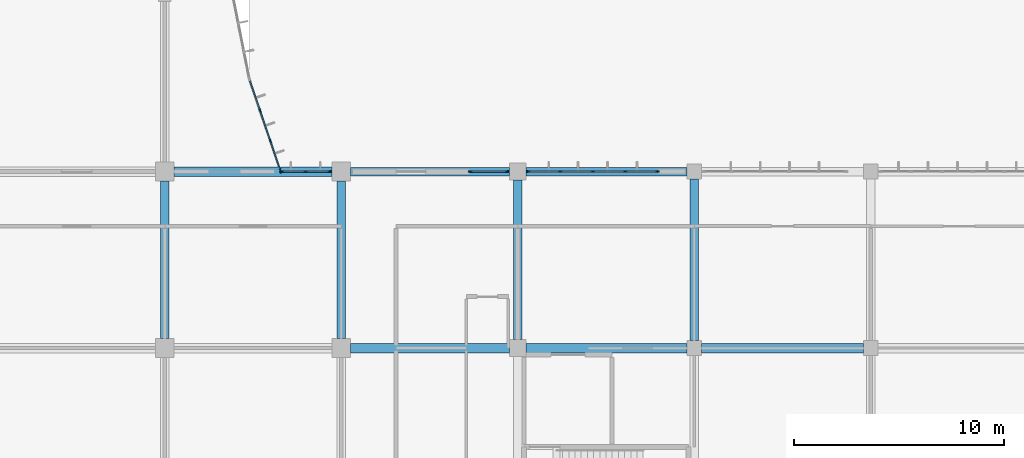
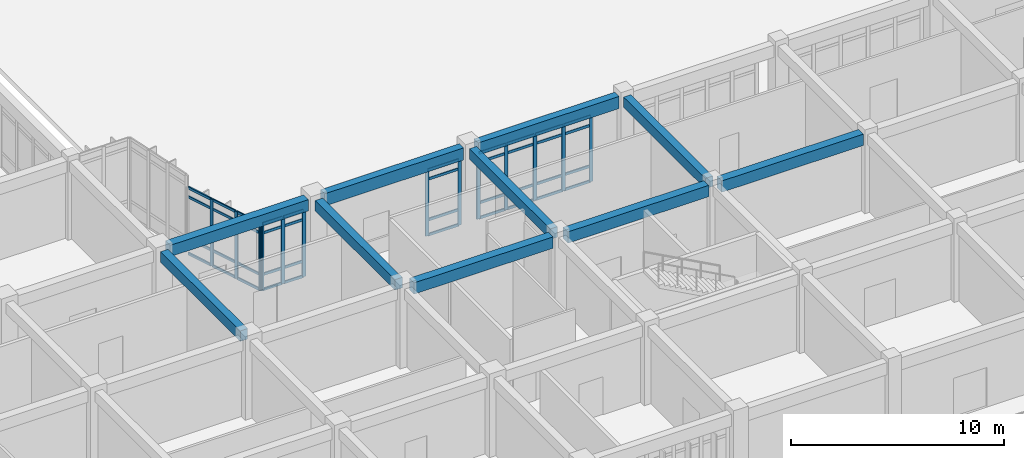
# One storey, part 48 of 138: 53 members, 10 beams, 4 elements without a shape of their own.
"""IFC4 building model written with IfcOpenShell, lengths in metres."""

from ifc_helpers import new_model, si_unit, direction, frame, origin, origin_2d, place, context, subcontext, project, spatial, rectangle, extrude, material, layer, layer_set, material_profile, profile_set, type_object, element, aggregate, save


model = new_model("IFC4")

# Units and contexts
model_context = context("Model", 3, precision=1e-05, world=origin(), true_north=direction((0.0, 1.0)))
body_context = subcontext(model_context, "Body", "Model", "MODEL_VIEW")
ifc_project = project(units=[si_unit("LENGTHUNIT", "METRE"), si_unit("AREAUNIT", "SQUARE_METRE"), si_unit("VOLUMEUNIT", "CUBIC_METRE"), si_unit("PLANEANGLEUNIT", "RADIAN"), si_unit("MASSUNIT", "GRAM", prefix="KILO")], contexts=[model_context])

# Site, building, storey
site_placement = place(None, origin())
site = spatial("IfcSite", under=ifc_project, at=site_placement, CompositionType="ELEMENT")
building_placement = place(site_placement, origin())
building = spatial("IfcBuilding", under=site, at=building_placement, Name="Bramfleet General Hospital", CompositionType="ELEMENT")
storey_placement = place(building_placement, origin())
storey = spatial("IfcBuildingStorey", under=building, at=storey_placement, Name="L00", CompositionType="ELEMENT", Elevation=0.0)

# Beams
ifc_material_1 = material(Name="Concrete C35/45", Category="concrete")
ifc_material_profile_1 = material_profile(ifc_material_1, rectangle(XDim=0.39990234375, YDim=0.60009765625, at=origin_2d()), Name="RC BM 600x400")
ifc_profile_set_1 = profile_set([ifc_material_profile_1], Name="Concrete C35/45")
beam_type_1 = type_object("IfcBeamType", Name="BM-RC600", PredefinedType="BEAM", material=ifc_profile_set_1)
for number, where, z_axis, x_axis, name in (
    (1, (126.0, 17.25, 4.199951171875), (0.0, 1.0, 0.0), (-1.0, 0.0, 0.0), "L00 Grid Beam Y 15-02"),
    (2, (134.39990234375, 17.25, 4.199951171875), (0.0, 1.0, 0.0), (-1.0, 0.0, 0.0), "L00 Grid Beam Y 16-02"),
):
    element("IfcBeam", number, at=place(storey_placement, frame(where, z_axis=z_axis, x_axis=x_axis)), inside=storey, type_object=beam_type_1, Name=name, PredefinedType="BEAM", context=body_context, shape_type="SweptSolid", body=[
        extrude(rectangle(XDim=0.39990234375, YDim=0.60009765625, at=origin_2d()), origin(), (0.0, 0.0, 1.0), 7.5),
    ])
beam_1_placement = place(storey_placement, frame((142.800048828125, 17.199951171875, 4.199951171875), z_axis=(0.0, 1.0, 0.0), x_axis=(-1.0, 0.0, 0.0)))
element("IfcBeam", 3, at=beam_1_placement, inside=storey, type_object=beam_type_1, Name="L00 Grid Beam Y 17-02", PredefinedType="BEAM", context=body_context, shape_type="SweptSolid", body=[
    extrude(rectangle(XDim=0.39990234375, YDim=0.60009765625, at=origin_2d()), origin(), (0.0, 0.0, 1.0), 7.60009765625),
])
beam_2_placement = place(storey_placement, frame((151.199951171875, 17.14990234375, 4.199951171875), z_axis=(0.0, 1.0, 0.0), x_axis=(-1.0, 0.0, 0.0)))
element("IfcBeam", 4, at=beam_2_placement, inside=storey, type_object=beam_type_1, Name="L00 Grid Beam Y 18-02", PredefinedType="BEAM", context=body_context, shape_type="SweptSolid", body=[
    extrude(rectangle(XDim=0.39990234375, YDim=0.60009765625, at=origin_2d()), origin(), (0.0, 0.0, 1.0), 7.7001953125),
])
ifc_material_profile_2 = material_profile(ifc_material_1, rectangle(XDim=0.449951171875, YDim=0.64990234375, at=origin_2d()), Name="RC BM 650x450")
ifc_profile_set_2 = profile_set([ifc_material_profile_2], Name="Concrete C35/45")
beam_type_2 = type_object("IfcBeamType", Name="BM-RC650", PredefinedType="BEAM", material=ifc_profile_set_2)
beam_3_placement = place(storey_placement, frame((126.449951171875, 25.199951171875, 4.175048828125), z_axis=(1.0, 0.0, 0.0), x_axis=(0.0, 1.0, 0.0)))
element("IfcBeam", 5, at=beam_3_placement, inside=storey, type_object=beam_type_2, Name="L00 Grid Beam X 15-03", PredefinedType="BEAM", context=body_context, shape_type="SweptSolid", body=[
    extrude(rectangle(XDim=0.449951171875, YDim=0.64990234375, at=origin_2d()), origin(), (0.0, 0.0, 1.0), 7.5),
])
beam_4_placement = place(storey_placement, frame((134.85009765625, 16.800048828125, 4.175048828125), z_axis=(1.0, 0.0, 0.0), x_axis=(0.0, 1.0, 0.0)))
element("IfcBeam", 6, at=beam_4_placement, inside=storey, type_object=beam_type_2, Name="L00 Grid Beam X 16-02", PredefinedType="BEAM", context=body_context, shape_type="SweptSolid", body=[
    extrude(rectangle(XDim=0.449951171875, YDim=0.64990234375, at=origin_2d()), origin(), (0.0, 0.0, 1.0), 7.5498046875),
])
beam_5_placement = place(storey_placement, frame((143.199951171875, 16.800048828125, 4.175048828125), z_axis=(1.0, 0.0, 0.0), x_axis=(0.0, 1.0, 0.0)))
element("IfcBeam", 7, at=beam_5_placement, inside=storey, type_object=beam_type_2, Name="L00 Grid Beam X 17-02", PredefinedType="BEAM", context=body_context, shape_type="SweptSolid", body=[
    extrude(rectangle(XDim=0.449951171875, YDim=0.64990234375, at=origin_2d()), origin(), (0.0, 0.0, 1.0), 7.650146484375),
])
beam_6_placement = place(storey_placement, frame((151.550048828125, 16.800048828125, 4.175048828125), z_axis=(1.0, 0.0, 0.0), x_axis=(0.0, 1.0, 0.0)))
element("IfcBeam", 8, at=beam_6_placement, inside=storey, type_object=beam_type_2, Name="L00 Grid Beam X 18-02", PredefinedType="BEAM", context=body_context, shape_type="SweptSolid", body=[
    extrude(rectangle(XDim=0.449951171875, YDim=0.64990234375, at=origin_2d()), origin(), (0.0, 0.0, 1.0), 7.699951171875),
])
ifc_material_profile_3 = material_profile(ifc_material_1, rectangle(XDim=0.39990234375, YDim=0.699951171875, at=origin_2d()), Name="RC SP 700x400")
ifc_profile_set_3 = profile_set([ifc_material_profile_3], Name="Concrete C35/45")
beam_type_3 = type_object("IfcBeamType", Name="BM-SP700", PredefinedType="SPANDREL", material=ifc_profile_set_3)
beam_7_placement = place(storey_placement, frame((134.85009765625, 25.199951171875, 4.14990234375), z_axis=(1.0, 0.0, 0.0), x_axis=(0.0, 1.0, 0.0)))
element("IfcBeam", 9, at=beam_7_placement, inside=storey, type_object=beam_type_3, Name="L00 Grid Beam X 16-03", PredefinedType="SPANDREL", context=body_context, shape_type="SweptSolid", body=[
    extrude(rectangle(XDim=0.39990234375, YDim=0.699951171875, at=origin_2d()), origin(), (0.0, 0.0, 1.0), 7.5498046875),
])
beam_8_placement = place(storey_placement, frame((143.199951171875, 25.199951171875, 4.14990234375), z_axis=(1.0, 0.0, 0.0), x_axis=(0.0, 1.0, 0.0)))
element("IfcBeam", 10, at=beam_8_placement, inside=storey, type_object=beam_type_3, Name="L00 Grid Beam X 17-03", PredefinedType="SPANDREL", context=body_context, shape_type="SweptSolid", body=[
    extrude(rectangle(XDim=0.39990234375, YDim=0.699951171875, at=origin_2d()), origin(), (0.0, 0.0, 1.0), 7.650146484375),
])

# Curtain wall, members
ifc_material_2 = material(Name="Anodised aluminium and low-E triple glazing", Category="aluminium")
ifc_layer_1 = layer(ifc_material_2, 0.179931640625, Name="CWT-CW-07")
ifc_layer_set_1 = layer_set([ifc_layer_1], Name="Anodised aluminium and low-E triple glazing")
curtain_wall_type_1 = type_object("IfcCurtainWallType", Name="CWT-CW-07", PredefinedType="USERDEFINED", material=ifc_layer_set_1)
curtain_wall_1_placement = place(storey_placement, origin())
curtain_wall_1 = element("IfcCurtainWall", 11, at=curtain_wall_1_placement, inside=storey, type_object=curtain_wall_type_1, Name="L00 Curtain Wall 25", ObjectType="Unitised curtain wall", PredefinedType="USERDEFINED")
ifc_material_3 = material(Name="Structural timber GL28h", Category="wood")
ifc_material_profile_4 = material_profile(ifc_material_3, rectangle(XDim=0.070068359375, YDim=0.18994140625, at=origin_2d()), Name="LARCH 190x70")
ifc_profile_set_4 = profile_set([ifc_material_profile_4], Name="Structural timber GL28h")
member_type_1 = type_object("IfcMemberType", Name="CWM-LARCH450", PredefinedType="MULLION", material=ifc_profile_set_4)
member_1_placement = place(storey_placement, frame((130.531005859375, 28.117919921875, 0.0), z_axis=(0.0, 0.0, 1.0), x_axis=(0.94698222676, 0.321285950829, 0.0)))
member_1 = element("IfcMember", 12, at=member_1_placement, type_object=member_type_1, Name="CW-07 mullion 2", PredefinedType="MULLION", context=body_context, shape_type="SweptSolid", body=[
    extrude(rectangle(XDim=0.070068359375, YDim=0.18994140625, at=origin_2d()), origin(), (0.0, 0.0, 1.0), 3.840087890625),
])
member_2_placement = place(storey_placement, frame((131.02587890625, 26.658935546875, 0.0), z_axis=(0.0, 0.0, 1.0), x_axis=(0.94698222676, 0.321285950829, 0.0)))
member_2 = element("IfcMember", 13, at=member_2_placement, type_object=member_type_1, Name="CW-07 mullion 3", PredefinedType="MULLION", context=body_context, shape_type="SweptSolid", body=[
    extrude(rectangle(XDim=0.070068359375, YDim=0.18994140625, at=origin_2d()), origin(), (0.0, 0.0, 1.0), 3.840087890625),
])
member_3_placement = place(storey_placement, frame((131.509765625, 25.233154296875, 0.0), z_axis=(0.0, 0.0, 1.0), x_axis=(0.94698222676, 0.321285950829, 0.0)))
member_3 = element("IfcMember", 14, at=member_3_placement, type_object=member_type_1, Name="CW-07 mullion 4", PredefinedType="MULLION", context=body_context, shape_type="SweptSolid", body=[
    extrude(rectangle(XDim=0.070068359375, YDim=0.18994140625, at=origin_2d()), origin(), (0.0, 0.0, 1.0), 3.840087890625),
])

ifc_layer_2 = layer(ifc_material_2, 0.179931640625, Name="CWT-CW-08")
ifc_layer_set_2 = layer_set([ifc_layer_2], Name="Anodised aluminium and low-E triple glazing")
curtain_wall_type_2 = type_object("IfcCurtainWallType", Name="CWT-CW-08", PredefinedType="USERDEFINED", material=ifc_layer_set_2)
curtain_wall_2_placement = place(storey_placement, origin())
curtain_wall_2 = element("IfcCurtainWall", 15, at=curtain_wall_2_placement, inside=storey, type_object=curtain_wall_type_2, Name="L00 Curtain Wall 26", ObjectType="Unitised curtain wall", PredefinedType="USERDEFINED")
member_4_placement = place(storey_placement, frame((131.555908203125, 25.199951171875, 0.0), z_axis=(0.0, 0.0, 1.0), x_axis=(0.0, 1.0, 0.0)))
member_4 = element("IfcMember", 16, at=member_4_placement, type_object=member_type_1, Name="CW-08 mullion 1", PredefinedType="MULLION", context=body_context, shape_type="SweptSolid", body=[
    extrude(rectangle(XDim=0.070068359375, YDim=0.18994140625, at=origin_2d()), origin(), (0.0, 0.0, 1.0), 3.840087890625),
])
member_5_placement = place(storey_placement, frame((132.697998046875, 25.199951171875, 0.0), z_axis=(0.0, 0.0, 1.0), x_axis=(0.0, 1.0, 0.0)))
member_5 = element("IfcMember", 17, at=member_5_placement, type_object=member_type_1, Name="CW-08 mullion 2", PredefinedType="MULLION", context=body_context, shape_type="SweptSolid", body=[
    extrude(rectangle(XDim=0.070068359375, YDim=0.18994140625, at=origin_2d()), origin(), (0.0, 0.0, 1.0), 3.840087890625),
])
member_6_placement = place(storey_placement, frame((133.840087890625, 25.199951171875, 0.0), z_axis=(0.0, 0.0, 1.0), x_axis=(0.0, 1.0, 0.0)))
member_6 = element("IfcMember", 18, at=member_6_placement, type_object=member_type_1, Name="CW-08 mullion 3", PredefinedType="MULLION", context=body_context, shape_type="SweptSolid", body=[
    extrude(rectangle(XDim=0.070068359375, YDim=0.18994140625, at=origin_2d()), origin(), (0.0, 0.0, 1.0), 3.840087890625),
])

ifc_layer_3 = layer(ifc_material_2, 0.179931640625, Name="CWT-CW-09")
ifc_layer_set_3 = layer_set([ifc_layer_3], Name="Anodised aluminium and low-E triple glazing")
curtain_wall_type_3 = type_object("IfcCurtainWallType", Name="CWT-CW-09", PredefinedType="USERDEFINED", material=ifc_layer_set_3)
curtain_wall_3_placement = place(storey_placement, origin())
curtain_wall_3 = element("IfcCurtainWall", 19, at=curtain_wall_3_placement, inside=storey, type_object=curtain_wall_type_3, Name="L00 Curtain Wall 27", ObjectType="Unitised curtain wall", PredefinedType="USERDEFINED")
member_7_placement = place(storey_placement, frame((140.531982421875, 25.199951171875, 0.0), z_axis=(0.0, 0.0, 1.0), x_axis=(0.0, 1.0, 0.0)))
member_7 = element("IfcMember", 20, at=member_7_placement, type_object=member_type_1, Name="CW-09 mullion 1", PredefinedType="MULLION", context=body_context, shape_type="SweptSolid", body=[
    extrude(rectangle(XDim=0.070068359375, YDim=0.18994140625, at=origin_2d()), origin(), (0.0, 0.0, 1.0), 3.7900390625),
])
member_8_placement = place(storey_placement, frame((142.2900390625, 25.199951171875, 0.0), z_axis=(0.0, 0.0, 1.0), x_axis=(0.0, 1.0, 0.0)))
member_8 = element("IfcMember", 21, at=member_8_placement, type_object=member_type_1, Name="CW-09 mullion 2", PredefinedType="MULLION", context=body_context, shape_type="SweptSolid", body=[
    extrude(rectangle(XDim=0.070068359375, YDim=0.18994140625, at=origin_2d()), origin(), (0.0, 0.0, 1.0), 3.7900390625),
])

ifc_layer_4 = layer(ifc_material_2, 0.179931640625, Name="CWT-CW-10")
ifc_layer_set_4 = layer_set([ifc_layer_4], Name="Anodised aluminium and low-E triple glazing")
curtain_wall_type_4 = type_object("IfcCurtainWallType", Name="CWT-CW-10", PredefinedType="USERDEFINED", material=ifc_layer_set_4)
curtain_wall_4_placement = place(storey_placement, origin())
curtain_wall_4 = element("IfcCurtainWall", 22, at=curtain_wall_4_placement, inside=storey, type_object=curtain_wall_type_4, Name="L00 Curtain Wall 28", ObjectType="Stick curtain wall", PredefinedType="USERDEFINED")
member_9_placement = place(storey_placement, frame((143.31005859375, 25.199951171875, 0.0), z_axis=(0.0, 0.0, 1.0), x_axis=(0.0, 1.0, 0.0)))
member_9 = element("IfcMember", 23, at=member_9_placement, type_object=member_type_1, Name="CW-10 mullion 1", PredefinedType="MULLION", context=body_context, shape_type="SweptSolid", body=[
    extrude(rectangle(XDim=0.070068359375, YDim=0.18994140625, at=origin_2d()), origin(), (0.0, 0.0, 1.0), 3.7900390625),
])
member_10_placement = place(storey_placement, frame((144.824462890625, 25.199951171875, 0.0), z_axis=(0.0, 0.0, 1.0), x_axis=(0.0, 1.0, 0.0)))
member_10 = element("IfcMember", 24, at=member_10_placement, type_object=member_type_1, Name="CW-10 mullion 2", PredefinedType="MULLION", context=body_context, shape_type="SweptSolid", body=[
    extrude(rectangle(XDim=0.070068359375, YDim=0.18994140625, at=origin_2d()), origin(), (0.0, 0.0, 1.0), 3.7900390625),
])
member_11_placement = place(storey_placement, frame((146.3740234375, 25.199951171875, 0.0), z_axis=(0.0, 0.0, 1.0), x_axis=(0.0, 1.0, 0.0)))
member_11 = element("IfcMember", 25, at=member_11_placement, type_object=member_type_1, Name="CW-10 mullion 3", PredefinedType="MULLION", context=body_context, shape_type="SweptSolid", body=[
    extrude(rectangle(XDim=0.070068359375, YDim=0.18994140625, at=origin_2d()), origin(), (0.0, 0.0, 1.0), 3.7900390625),
])
member_12_placement = place(storey_placement, frame((147.923583984375, 25.199951171875, 0.0), z_axis=(0.0, 0.0, 1.0), x_axis=(0.0, 1.0, 0.0)))
member_12 = element("IfcMember", 26, at=member_12_placement, type_object=member_type_1, Name="CW-10 mullion 4", PredefinedType="MULLION", context=body_context, shape_type="SweptSolid", body=[
    extrude(rectangle(XDim=0.070068359375, YDim=0.18994140625, at=origin_2d()), origin(), (0.0, 0.0, 1.0), 3.7900390625),
])
member_13_placement = place(storey_placement, frame((149.43798828125, 25.199951171875, 0.0), z_axis=(0.0, 0.0, 1.0), x_axis=(0.0, 1.0, 0.0)))
member_13 = element("IfcMember", 27, at=member_13_placement, type_object=member_type_1, Name="CW-10 mullion 5", PredefinedType="MULLION", context=body_context, shape_type="SweptSolid", body=[
    extrude(rectangle(XDim=0.070068359375, YDim=0.18994140625, at=origin_2d()), origin(), (0.0, 0.0, 1.0), 3.7900390625),
])

# Member
ifc_material_profile_5 = material_profile(ifc_material_3, rectangle(XDim=0.06494140625, YDim=0.14990234375, at=origin_2d()), Name="LARCH 150x65")
ifc_profile_set_5 = profile_set([ifc_material_profile_5], Name="Structural timber GL28h")
member_type_2 = type_object("IfcMemberType", Name="CWT-LARCH220", PredefinedType="USERDEFINED", material=ifc_profile_set_5)
member_14_placement = place(storey_placement, frame((130.05859375, 29.5107421875, 0.032470703125), z_axis=(0.321222819533, -0.947003643188, 0.0), x_axis=(0.947003643188, 0.321222819533, 0.0)))
member_14 = element("IfcMember", 28, at=member_14_placement, type_object=member_type_2, Name="CW-07 transom 1.1", ObjectType="TRANSOM", PredefinedType="USERDEFINED", context=body_context, shape_type="SweptSolid", body=[
    extrude(rectangle(XDim=0.06494140625, YDim=0.14990234375, at=origin_2d()), origin(), (0.0, 0.0, 1.0), 1.435791015625),
])

member_15_placement = place(storey_placement, frame((130.05859375, 29.5107421875, 0.89990234375), z_axis=(0.321222819533, -0.947003643188, 0.0), x_axis=(0.947003643188, 0.321222819533, 0.0)))
member_15 = element("IfcMember", 29, at=member_15_placement, type_object=member_type_2, Name="CW-07 transom 1.2", ObjectType="TRANSOM", PredefinedType="USERDEFINED", context=body_context, shape_type="SweptSolid", body=[
    extrude(rectangle(XDim=0.06494140625, YDim=0.14990234375, at=origin_2d()), origin(), (0.0, 0.0, 1.0), 1.435791015625),
])

member_16_placement = place(storey_placement, frame((130.05859375, 29.5107421875, 3.2900390625), z_axis=(0.321222819533, -0.947003643188, 0.0), x_axis=(0.947003643188, 0.321222819533, 0.0)))
member_16 = element("IfcMember", 30, at=member_16_placement, type_object=member_type_2, Name="CW-07 transom 1.3", ObjectType="TRANSOM", PredefinedType="USERDEFINED", context=body_context, shape_type="SweptSolid", body=[
    extrude(rectangle(XDim=0.06494140625, YDim=0.14990234375, at=origin_2d()), origin(), (0.0, 0.0, 1.0), 1.435791015625),
])

member_17_placement = place(storey_placement, frame((130.05859375, 29.5107421875, 3.8076171875), z_axis=(0.321222819533, -0.947003643188, 0.0), x_axis=(0.947003643188, 0.321222819533, 0.0)))
member_17 = element("IfcMember", 31, at=member_17_placement, type_object=member_type_2, Name="CW-07 transom 1.4", ObjectType="TRANSOM", PredefinedType="USERDEFINED", context=body_context, shape_type="SweptSolid", body=[
    extrude(rectangle(XDim=0.06494140625, YDim=0.14990234375, at=origin_2d()), origin(), (0.0, 0.0, 1.0), 1.435791015625),
])

member_18_placement = place(storey_placement, frame((130.542236328125, 28.0849609375, 0.032470703125), z_axis=(0.32120330539, -0.947010262144, 0.0), x_axis=(0.947010262144, 0.32120330539, 0.0)))
member_18 = element("IfcMember", 32, at=member_18_placement, type_object=member_type_2, Name="CW-07 transom 2.1", ObjectType="TRANSOM", PredefinedType="USERDEFINED", context=body_context, shape_type="SweptSolid", body=[
    extrude(rectangle(XDim=0.06494140625, YDim=0.14990234375, at=origin_2d()), origin(), (0.0, 0.0, 1.0), 1.470703125),
])

member_19_placement = place(storey_placement, frame((130.542236328125, 28.0849609375, 0.89990234375), z_axis=(0.32120330539, -0.947010262144, 0.0), x_axis=(0.947010262144, 0.32120330539, 0.0)))
member_19 = element("IfcMember", 33, at=member_19_placement, type_object=member_type_2, Name="CW-07 transom 2.2", ObjectType="TRANSOM", PredefinedType="USERDEFINED", context=body_context, shape_type="SweptSolid", body=[
    extrude(rectangle(XDim=0.06494140625, YDim=0.14990234375, at=origin_2d()), origin(), (0.0, 0.0, 1.0), 1.470703125),
])

member_20_placement = place(storey_placement, frame((130.542236328125, 28.0849609375, 3.2900390625), z_axis=(0.32120330539, -0.947010262144, 0.0), x_axis=(0.947010262144, 0.32120330539, 0.0)))
member_20 = element("IfcMember", 34, at=member_20_placement, type_object=member_type_2, Name="CW-07 transom 2.3", ObjectType="TRANSOM", PredefinedType="USERDEFINED", context=body_context, shape_type="SweptSolid", body=[
    extrude(rectangle(XDim=0.06494140625, YDim=0.14990234375, at=origin_2d()), origin(), (0.0, 0.0, 1.0), 1.470703125),
])

member_21_placement = place(storey_placement, frame((130.542236328125, 28.0849609375, 3.8076171875), z_axis=(0.32120330539, -0.947010262144, 0.0), x_axis=(0.947010262144, 0.32120330539, 0.0)))
member_21 = element("IfcMember", 35, at=member_21_placement, type_object=member_type_2, Name="CW-07 transom 2.4", ObjectType="TRANSOM", PredefinedType="USERDEFINED", context=body_context, shape_type="SweptSolid", body=[
    extrude(rectangle(XDim=0.06494140625, YDim=0.14990234375, at=origin_2d()), origin(), (0.0, 0.0, 1.0), 1.470703125),
])

member_22_placement = place(storey_placement, frame((131.037353515625, 26.6259765625, 0.032470703125), z_axis=(0.321222819533, -0.947003643188, 0.0), x_axis=(0.947003643188, 0.321222819533, 0.0)))
member_22 = element("IfcMember", 36, at=member_22_placement, type_object=member_type_2, Name="CW-07 transom 3.1", ObjectType="TRANSOM", PredefinedType="USERDEFINED", context=body_context, shape_type="SweptSolid", body=[
    extrude(rectangle(XDim=0.06494140625, YDim=0.14990234375, at=origin_2d()), origin(), (0.0, 0.0, 1.0), 1.435791015625),
])

member_23_placement = place(storey_placement, frame((131.037353515625, 26.6259765625, 0.89990234375), z_axis=(0.321222819533, -0.947003643188, 0.0), x_axis=(0.947003643188, 0.321222819533, 0.0)))
member_23 = element("IfcMember", 37, at=member_23_placement, type_object=member_type_2, Name="CW-07 transom 3.2", ObjectType="TRANSOM", PredefinedType="USERDEFINED", context=body_context, shape_type="SweptSolid", body=[
    extrude(rectangle(XDim=0.06494140625, YDim=0.14990234375, at=origin_2d()), origin(), (0.0, 0.0, 1.0), 1.435791015625),
])

member_24_placement = place(storey_placement, frame((131.037353515625, 26.6259765625, 3.2900390625), z_axis=(0.321222819533, -0.947003643188, 0.0), x_axis=(0.947003643188, 0.321222819533, 0.0)))
member_24 = element("IfcMember", 38, at=member_24_placement, type_object=member_type_2, Name="CW-07 transom 3.3", ObjectType="TRANSOM", PredefinedType="USERDEFINED", context=body_context, shape_type="SweptSolid", body=[
    extrude(rectangle(XDim=0.06494140625, YDim=0.14990234375, at=origin_2d()), origin(), (0.0, 0.0, 1.0), 1.435791015625),
])

member_25_placement = place(storey_placement, frame((131.037353515625, 26.6259765625, 3.8076171875), z_axis=(0.321222819533, -0.947003643188, 0.0), x_axis=(0.947003643188, 0.321222819533, 0.0)))
member_25 = element("IfcMember", 39, at=member_25_placement, type_object=member_type_2, Name="CW-07 transom 3.4", ObjectType="TRANSOM", PredefinedType="USERDEFINED", context=body_context, shape_type="SweptSolid", body=[
    extrude(rectangle(XDim=0.06494140625, YDim=0.14990234375, at=origin_2d()), origin(), (0.0, 0.0, 1.0), 1.435791015625),
])

aggregate(curtain_wall_1, [member_1, member_2, member_3, member_14, member_15, member_16, member_17, member_18, member_19, member_20, member_21, member_22, member_23, member_24, member_25])

member_26_placement = place(storey_placement, frame((131.591064453125, 25.199951171875, 0.032470703125), z_axis=(1.0, 0.0, 0.0), x_axis=(0.0, 1.0, 0.0)))
member_26 = element("IfcMember", 40, at=member_26_placement, type_object=member_type_2, Name="CW-08 transom 1.1", ObjectType="TRANSOM", PredefinedType="USERDEFINED", context=body_context, shape_type="SweptSolid", body=[
    extrude(rectangle(XDim=0.06494140625, YDim=0.14990234375, at=origin_2d()), origin(), (0.0, 0.0, 1.0), 1.072021484375),
])

member_27_placement = place(storey_placement, frame((131.591064453125, 25.199951171875, 0.89990234375), z_axis=(1.0, 0.0, 0.0), x_axis=(0.0, 1.0, 0.0)))
member_27 = element("IfcMember", 41, at=member_27_placement, type_object=member_type_2, Name="CW-08 transom 1.2", ObjectType="TRANSOM", PredefinedType="USERDEFINED", context=body_context, shape_type="SweptSolid", body=[
    extrude(rectangle(XDim=0.06494140625, YDim=0.14990234375, at=origin_2d()), origin(), (0.0, 0.0, 1.0), 1.072021484375),
])

member_28_placement = place(storey_placement, frame((131.591064453125, 25.199951171875, 3.2900390625), z_axis=(1.0, 0.0, 0.0), x_axis=(0.0, 1.0, 0.0)))
member_28 = element("IfcMember", 42, at=member_28_placement, type_object=member_type_2, Name="CW-08 transom 1.3", ObjectType="TRANSOM", PredefinedType="USERDEFINED", context=body_context, shape_type="SweptSolid", body=[
    extrude(rectangle(XDim=0.06494140625, YDim=0.14990234375, at=origin_2d()), origin(), (0.0, 0.0, 1.0), 1.072021484375),
])

member_29_placement = place(storey_placement, frame((131.591064453125, 25.199951171875, 3.8076171875), z_axis=(1.0, 0.0, 0.0), x_axis=(0.0, 1.0, 0.0)))
member_29 = element("IfcMember", 43, at=member_29_placement, type_object=member_type_2, Name="CW-08 transom 1.4", ObjectType="TRANSOM", PredefinedType="USERDEFINED", context=body_context, shape_type="SweptSolid", body=[
    extrude(rectangle(XDim=0.06494140625, YDim=0.14990234375, at=origin_2d()), origin(), (0.0, 0.0, 1.0), 1.072021484375),
])

member_30_placement = place(storey_placement, frame((132.73291015625, 25.199951171875, 0.032470703125), z_axis=(1.0, 0.0, 0.0), x_axis=(0.0, 1.0, 0.0)))
member_30 = element("IfcMember", 44, at=member_30_placement, type_object=member_type_2, Name="CW-08 transom 2.1", ObjectType="TRANSOM", PredefinedType="USERDEFINED", context=body_context, shape_type="SweptSolid", body=[
    extrude(rectangle(XDim=0.06494140625, YDim=0.14990234375, at=origin_2d()), origin(), (0.0, 0.0, 1.0), 1.072021484375),
])

member_31_placement = place(storey_placement, frame((132.73291015625, 25.199951171875, 0.89990234375), z_axis=(1.0, 0.0, 0.0), x_axis=(0.0, 1.0, 0.0)))
member_31 = element("IfcMember", 45, at=member_31_placement, type_object=member_type_2, Name="CW-08 transom 2.2", ObjectType="TRANSOM", PredefinedType="USERDEFINED", context=body_context, shape_type="SweptSolid", body=[
    extrude(rectangle(XDim=0.06494140625, YDim=0.14990234375, at=origin_2d()), origin(), (0.0, 0.0, 1.0), 1.072021484375),
])

member_32_placement = place(storey_placement, frame((132.73291015625, 25.199951171875, 3.2900390625), z_axis=(1.0, 0.0, 0.0), x_axis=(0.0, 1.0, 0.0)))
member_32 = element("IfcMember", 46, at=member_32_placement, type_object=member_type_2, Name="CW-08 transom 2.3", ObjectType="TRANSOM", PredefinedType="USERDEFINED", context=body_context, shape_type="SweptSolid", body=[
    extrude(rectangle(XDim=0.06494140625, YDim=0.14990234375, at=origin_2d()), origin(), (0.0, 0.0, 1.0), 1.072021484375),
])

member_33_placement = place(storey_placement, frame((132.73291015625, 25.199951171875, 3.8076171875), z_axis=(1.0, 0.0, 0.0), x_axis=(0.0, 1.0, 0.0)))
member_33 = element("IfcMember", 47, at=member_33_placement, type_object=member_type_2, Name="CW-08 transom 2.4", ObjectType="TRANSOM", PredefinedType="USERDEFINED", context=body_context, shape_type="SweptSolid", body=[
    extrude(rectangle(XDim=0.06494140625, YDim=0.14990234375, at=origin_2d()), origin(), (0.0, 0.0, 1.0), 1.072021484375),
])

aggregate(curtain_wall_2, [member_4, member_5, member_6, member_26, member_27, member_28, member_29, member_30, member_31, member_32, member_33])

member_34_placement = place(storey_placement, frame((140.56689453125, 25.199951171875, 0.032470703125), z_axis=(1.0, 0.0, 0.0), x_axis=(0.0, 1.0, 0.0)))
member_34 = element("IfcMember", 48, at=member_34_placement, type_object=member_type_2, Name="CW-09 transom 1.1", ObjectType="TRANSOM", PredefinedType="USERDEFINED", context=body_context, shape_type="SweptSolid", body=[
    extrude(rectangle(XDim=0.06494140625, YDim=0.14990234375, at=origin_2d()), origin(), (0.0, 0.0, 1.0), 1.68798828125),
])

member_35_placement = place(storey_placement, frame((140.56689453125, 25.199951171875, 0.89990234375), z_axis=(1.0, 0.0, 0.0), x_axis=(0.0, 1.0, 0.0)))
member_35 = element("IfcMember", 49, at=member_35_placement, type_object=member_type_2, Name="CW-09 transom 1.2", ObjectType="TRANSOM", PredefinedType="USERDEFINED", context=body_context, shape_type="SweptSolid", body=[
    extrude(rectangle(XDim=0.06494140625, YDim=0.14990234375, at=origin_2d()), origin(), (0.0, 0.0, 1.0), 1.68798828125),
])

member_36_placement = place(storey_placement, frame((140.56689453125, 25.199951171875, 3.239990234375), z_axis=(1.0, 0.0, 0.0), x_axis=(0.0, 1.0, 0.0)))
member_36 = element("IfcMember", 50, at=member_36_placement, type_object=member_type_2, Name="CW-09 transom 1.3", ObjectType="TRANSOM", PredefinedType="USERDEFINED", context=body_context, shape_type="SweptSolid", body=[
    extrude(rectangle(XDim=0.06494140625, YDim=0.14990234375, at=origin_2d()), origin(), (0.0, 0.0, 1.0), 1.68798828125),
])

member_37_placement = place(storey_placement, frame((140.56689453125, 25.199951171875, 3.757568359375), z_axis=(1.0, 0.0, 0.0), x_axis=(0.0, 1.0, 0.0)))
member_37 = element("IfcMember", 51, at=member_37_placement, type_object=member_type_2, Name="CW-09 transom 1.4", ObjectType="TRANSOM", PredefinedType="USERDEFINED", context=body_context, shape_type="SweptSolid", body=[
    extrude(rectangle(XDim=0.06494140625, YDim=0.14990234375, at=origin_2d()), origin(), (0.0, 0.0, 1.0), 1.68798828125),
])

aggregate(curtain_wall_3, [member_7, member_8, member_34, member_35, member_36, member_37])

member_38_placement = place(storey_placement, frame((143.344970703125, 25.199951171875, 0.032470703125), z_axis=(1.0, 0.0, 0.0), x_axis=(0.0, 1.0, 0.0)))
member_38 = element("IfcMember", 52, at=member_38_placement, type_object=member_type_2, Name="CW-10 transom 1.1", ObjectType="TRANSOM", PredefinedType="USERDEFINED", context=body_context, shape_type="SweptSolid", body=[
    extrude(rectangle(XDim=0.06494140625, YDim=0.14990234375, at=origin_2d()), origin(), (0.0, 0.0, 1.0), 1.444580078125),
])

member_39_placement = place(storey_placement, frame((143.344970703125, 25.199951171875, 0.89990234375), z_axis=(1.0, 0.0, 0.0), x_axis=(0.0, 1.0, 0.0)))
member_39 = element("IfcMember", 53, at=member_39_placement, type_object=member_type_2, Name="CW-10 transom 1.2", ObjectType="TRANSOM", PredefinedType="USERDEFINED", context=body_context, shape_type="SweptSolid", body=[
    extrude(rectangle(XDim=0.06494140625, YDim=0.14990234375, at=origin_2d()), origin(), (0.0, 0.0, 1.0), 1.444580078125),
])

member_40_placement = place(storey_placement, frame((143.344970703125, 25.199951171875, 3.239990234375), z_axis=(1.0, 0.0, 0.0), x_axis=(0.0, 1.0, 0.0)))
member_40 = element("IfcMember", 54, at=member_40_placement, type_object=member_type_2, Name="CW-10 transom 1.3", ObjectType="TRANSOM", PredefinedType="USERDEFINED", context=body_context, shape_type="SweptSolid", body=[
    extrude(rectangle(XDim=0.06494140625, YDim=0.14990234375, at=origin_2d()), origin(), (0.0, 0.0, 1.0), 1.444580078125),
])

member_41_placement = place(storey_placement, frame((143.344970703125, 25.199951171875, 3.757568359375), z_axis=(1.0, 0.0, 0.0), x_axis=(0.0, 1.0, 0.0)))
member_41 = element("IfcMember", 55, at=member_41_placement, type_object=member_type_2, Name="CW-10 transom 1.4", ObjectType="TRANSOM", PredefinedType="USERDEFINED", context=body_context, shape_type="SweptSolid", body=[
    extrude(rectangle(XDim=0.06494140625, YDim=0.14990234375, at=origin_2d()), origin(), (0.0, 0.0, 1.0), 1.444580078125),
])

member_42_placement = place(storey_placement, frame((144.859619140625, 25.199951171875, 0.032470703125), z_axis=(1.0, 0.0, 0.0), x_axis=(0.0, 1.0, 0.0)))
member_42 = element("IfcMember", 56, at=member_42_placement, type_object=member_type_2, Name="CW-10 transom 2.1", ObjectType="TRANSOM", PredefinedType="USERDEFINED", context=body_context, shape_type="SweptSolid", body=[
    extrude(rectangle(XDim=0.06494140625, YDim=0.14990234375, at=origin_2d()), origin(), (0.0, 0.0, 1.0), 1.4794921875),
])

member_43_placement = place(storey_placement, frame((144.859619140625, 25.199951171875, 0.89990234375), z_axis=(1.0, 0.0, 0.0), x_axis=(0.0, 1.0, 0.0)))
member_43 = element("IfcMember", 57, at=member_43_placement, type_object=member_type_2, Name="CW-10 transom 2.2", ObjectType="TRANSOM", PredefinedType="USERDEFINED", context=body_context, shape_type="SweptSolid", body=[
    extrude(rectangle(XDim=0.06494140625, YDim=0.14990234375, at=origin_2d()), origin(), (0.0, 0.0, 1.0), 1.4794921875),
])

member_44_placement = place(storey_placement, frame((144.859619140625, 25.199951171875, 3.239990234375), z_axis=(1.0, 0.0, 0.0), x_axis=(0.0, 1.0, 0.0)))
member_44 = element("IfcMember", 58, at=member_44_placement, type_object=member_type_2, Name="CW-10 transom 2.3", ObjectType="TRANSOM", PredefinedType="USERDEFINED", context=body_context, shape_type="SweptSolid", body=[
    extrude(rectangle(XDim=0.06494140625, YDim=0.14990234375, at=origin_2d()), origin(), (0.0, 0.0, 1.0), 1.4794921875),
])

member_45_placement = place(storey_placement, frame((144.859619140625, 25.199951171875, 3.757568359375), z_axis=(1.0, 0.0, 0.0), x_axis=(0.0, 1.0, 0.0)))
member_45 = element("IfcMember", 59, at=member_45_placement, type_object=member_type_2, Name="CW-10 transom 2.4", ObjectType="TRANSOM", PredefinedType="USERDEFINED", context=body_context, shape_type="SweptSolid", body=[
    extrude(rectangle(XDim=0.06494140625, YDim=0.14990234375, at=origin_2d()), origin(), (0.0, 0.0, 1.0), 1.4794921875),
])

member_46_placement = place(storey_placement, frame((146.408935546875, 25.199951171875, 0.032470703125), z_axis=(1.0, 0.0, 0.0), x_axis=(0.0, 1.0, 0.0)))
member_46 = element("IfcMember", 60, at=member_46_placement, type_object=member_type_2, Name="CW-10 transom 3.1", ObjectType="TRANSOM", PredefinedType="USERDEFINED", context=body_context, shape_type="SweptSolid", body=[
    extrude(rectangle(XDim=0.06494140625, YDim=0.14990234375, at=origin_2d()), origin(), (0.0, 0.0, 1.0), 1.4794921875),
])

member_47_placement = place(storey_placement, frame((146.408935546875, 25.199951171875, 0.89990234375), z_axis=(1.0, 0.0, 0.0), x_axis=(0.0, 1.0, 0.0)))
member_47 = element("IfcMember", 61, at=member_47_placement, type_object=member_type_2, Name="CW-10 transom 3.2", ObjectType="TRANSOM", PredefinedType="USERDEFINED", context=body_context, shape_type="SweptSolid", body=[
    extrude(rectangle(XDim=0.06494140625, YDim=0.14990234375, at=origin_2d()), origin(), (0.0, 0.0, 1.0), 1.4794921875),
])

member_48_placement = place(storey_placement, frame((146.408935546875, 25.199951171875, 3.239990234375), z_axis=(1.0, 0.0, 0.0), x_axis=(0.0, 1.0, 0.0)))
member_48 = element("IfcMember", 62, at=member_48_placement, type_object=member_type_2, Name="CW-10 transom 3.3", ObjectType="TRANSOM", PredefinedType="USERDEFINED", context=body_context, shape_type="SweptSolid", body=[
    extrude(rectangle(XDim=0.06494140625, YDim=0.14990234375, at=origin_2d()), origin(), (0.0, 0.0, 1.0), 1.4794921875),
])

member_49_placement = place(storey_placement, frame((146.408935546875, 25.199951171875, 3.757568359375), z_axis=(1.0, 0.0, 0.0), x_axis=(0.0, 1.0, 0.0)))
member_49 = element("IfcMember", 63, at=member_49_placement, type_object=member_type_2, Name="CW-10 transom 3.4", ObjectType="TRANSOM", PredefinedType="USERDEFINED", context=body_context, shape_type="SweptSolid", body=[
    extrude(rectangle(XDim=0.06494140625, YDim=0.14990234375, at=origin_2d()), origin(), (0.0, 0.0, 1.0), 1.4794921875),
])

member_50_placement = place(storey_placement, frame((147.95849609375, 25.199951171875, 0.032470703125), z_axis=(1.0, 0.0, 0.0), x_axis=(0.0, 1.0, 0.0)))
member_50 = element("IfcMember", 64, at=member_50_placement, type_object=member_type_2, Name="CW-10 transom 4.1", ObjectType="TRANSOM", PredefinedType="USERDEFINED", context=body_context, shape_type="SweptSolid", body=[
    extrude(rectangle(XDim=0.06494140625, YDim=0.14990234375, at=origin_2d()), origin(), (0.0, 0.0, 1.0), 1.444580078125),
])

member_51_placement = place(storey_placement, frame((147.95849609375, 25.199951171875, 0.89990234375), z_axis=(1.0, 0.0, 0.0), x_axis=(0.0, 1.0, 0.0)))
member_51 = element("IfcMember", 65, at=member_51_placement, type_object=member_type_2, Name="CW-10 transom 4.2", ObjectType="TRANSOM", PredefinedType="USERDEFINED", context=body_context, shape_type="SweptSolid", body=[
    extrude(rectangle(XDim=0.06494140625, YDim=0.14990234375, at=origin_2d()), origin(), (0.0, 0.0, 1.0), 1.444580078125),
])

member_52_placement = place(storey_placement, frame((147.95849609375, 25.199951171875, 3.239990234375), z_axis=(1.0, 0.0, 0.0), x_axis=(0.0, 1.0, 0.0)))
member_52 = element("IfcMember", 66, at=member_52_placement, type_object=member_type_2, Name="CW-10 transom 4.3", ObjectType="TRANSOM", PredefinedType="USERDEFINED", context=body_context, shape_type="SweptSolid", body=[
    extrude(rectangle(XDim=0.06494140625, YDim=0.14990234375, at=origin_2d()), origin(), (0.0, 0.0, 1.0), 1.444580078125),
])

member_53_placement = place(storey_placement, frame((147.95849609375, 25.199951171875, 3.757568359375), z_axis=(1.0, 0.0, 0.0), x_axis=(0.0, 1.0, 0.0)))
member_53 = element("IfcMember", 67, at=member_53_placement, type_object=member_type_2, Name="CW-10 transom 4.4", ObjectType="TRANSOM", PredefinedType="USERDEFINED", context=body_context, shape_type="SweptSolid", body=[
    extrude(rectangle(XDim=0.06494140625, YDim=0.14990234375, at=origin_2d()), origin(), (0.0, 0.0, 1.0), 1.444580078125),
])

aggregate(curtain_wall_4, [member_9, member_10, member_11, member_12, member_13, member_38, member_39, member_40, member_41, member_42, member_43, member_44, member_45, member_46, member_47, member_48, member_49, member_50, member_51, member_52, member_53])

save(model, "model.ifc")
